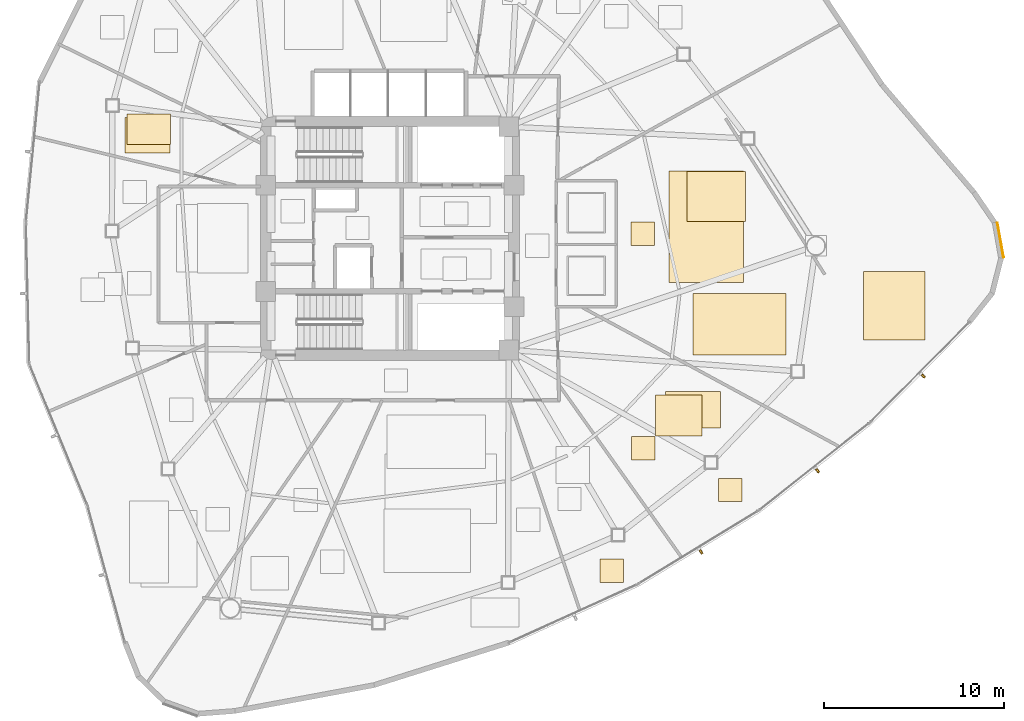
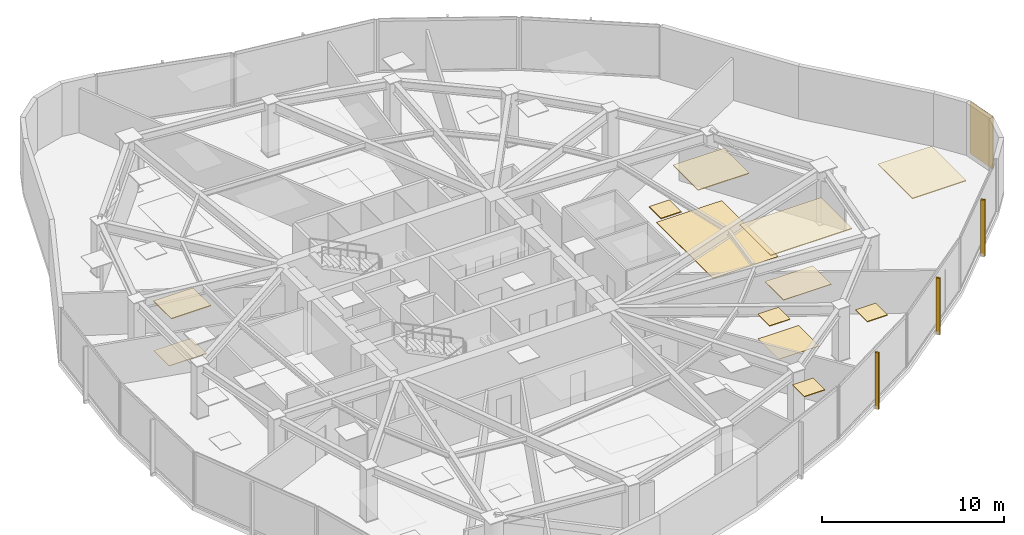
# One storey, part 16 of 17: 13 coverings, 3 shading devices.
"""IFC4 building model written with IfcOpenShell, lengths in metres."""

from ifc_helpers import new_model, si_unit, direction, frame, origin, origin_2d, place, context, subcontext, project, spatial, polyline, rectangle, outline, extrude, source, transform, mapped, material, layer, layer_set, type_object, type_shapes, element, save


model = new_model("IFC4")

# Units and contexts
model_context = context("Model", 3, precision=1e-05, world=origin(), true_north=direction((0.0, 1.0)))
body_context = subcontext(model_context, "Body", "Model", "MODEL_VIEW")
ifc_project = project(units=[si_unit("LENGTHUNIT", "METRE"), si_unit("AREAUNIT", "SQUARE_METRE"), si_unit("VOLUMEUNIT", "CUBIC_METRE"), si_unit("PLANEANGLEUNIT", "RADIAN"), si_unit("MASSUNIT", "GRAM", prefix="KILO")], contexts=[model_context])

# Site, building, storey
site_placement = place(None, origin())
site = spatial("IfcSite", under=ifc_project, at=site_placement, CompositionType="ELEMENT")
building_placement = place(site_placement, origin())
building = spatial("IfcBuilding", under=site, at=building_placement, Name="Tavelor Broadcast Tower", CompositionType="ELEMENT")
storey_placement = place(building_placement, frame((0.0, 0.0, 150.25)))
storey = spatial("IfcBuildingStorey", under=building, at=storey_placement, Name="L35", CompositionType="ELEMENT", Elevation=150.25)

# Coverings
ifc_material_1 = material(Name="Copper-Bronze Anodized Aluminium", Category="aluminium")
ifc_layer_1 = layer(ifc_material_1, 0.050048828125)
ifc_layer_set_1 = layer_set([ifc_layer_1], Name="Copper-Bronze Anodized Aluminium")
covering_type_1 = type_object("IfcCoveringType", Name="Champagne-Bronze Corner Pier Metal Cladding 50 mm", PredefinedType="CLADDING", material=ifc_layer_set_1)
covering_1_placement = place(storey_placement, frame((83.93017578125, 44.901123046875, 0.02001953125), z_axis=(0.0, 0.0, 1.0), x_axis=(-0.174507518327, 0.984655841422, 0.0)))
element("IfcCovering", 1, at=covering_1_placement, inside=storey, type_object=covering_type_1, Name="L35 Champagne-Bronze Corner Cladding 23", PredefinedType="CLADDING", context=body_context, shape_type="SweptSolid", body=[
    extrude(rectangle(XDim=1.9716796875, YDim=0.050048828125, at=origin_2d()), origin(), (0.0, 0.0, 1.0), 3.510009765625),
])
ifc_material_2 = material(Name="Acoustic Nylon Carpet Tile")
ifc_layer_2 = layer(ifc_material_2, 0.02001953125)
ifc_layer_set_2 = layer_set([ifc_layer_2], Name="Acoustic Nylon Carpet Tile")
covering_type_2 = type_object("IfcCoveringType", Name="Heavy-Duty Acoustic Broadcast Carpet Tile 20 mm", PredefinedType="FLOORING", material=ifc_layer_set_2)
covering_2_placement = place(storey_placement, origin())
element("IfcCovering", 2, at=covering_2_placement, inside=storey, type_object=covering_type_2, Name="L35 Broadcast Floor Finish 0504", PredefinedType="FLOORING", context=body_context, shape_type="SweptSolid", body=[
    extrude(outline(polyline([(64.76318359375, 34.015380859375), (67.333251953125, 34.015380859375), (67.333251953125, 36.29296875), (64.76318359375, 36.29296875), (64.76318359375, 34.015380859375)])), origin(), (0.0, 0.0, 1.0), 0.02001953125),
])
ifc_material_3 = material(Name="Acoustic Hardwood Studio Flooring", Category="wood")
ifc_layer_3 = layer(ifc_material_3, 0.034912109375)
ifc_layer_set_3 = layer_set([ifc_layer_3], Name="Acoustic Hardwood Studio Flooring")
covering_type_3 = type_object("IfcCoveringType", Name="Isolated Studio Acoustic Elastomeric Floor Finish 35 mm", PredefinedType="FLOORING", material=ifc_layer_set_3)
covering_3_placement = place(storey_placement, origin())
element("IfcCovering", 3, at=covering_3_placement, inside=storey, type_object=covering_type_3, Name="L35 Broadcast Floor Finish 0503", PredefinedType="FLOORING", context=body_context, shape_type="SweptSolid", body=[
    extrude(outline(polyline([(65.50390625, 42.552978515625), (69.654296875, 42.552978515625), (69.654296875, 48.7509765625), (65.50390625, 48.7509765625), (65.50390625, 42.552978515625)])), origin(), (0.0, 0.0, 1.0), 0.034912109375),
])
covering_4_placement = place(storey_placement, origin())
element("IfcCovering", 4, at=covering_4_placement, inside=storey, type_object=covering_type_3, Name="L35 Broadcast Floor Finish 0510", PredefinedType="FLOORING", context=body_context, shape_type="SweptSolid", body=[
    extrude(outline(polyline([(35.397705078125, 50.222900390625), (37.79296875, 50.222900390625), (37.79296875, 51.9208984375), (35.397705078125, 51.9208984375), (35.397705078125, 50.222900390625)])), origin(), (0.0, 0.0, 1.0), 0.034912109375),
])
ifc_material_4 = material(Name="Acoustic Perforated Timber Baffle", Category="wood")
ifc_layer_4 = layer(ifc_material_4, 0.054931640625)
ifc_layer_set_4 = layer_set([ifc_layer_4], Name="Acoustic Perforated Timber Baffle")
covering_type_4 = type_object("IfcCoveringType", Name="Micro-Perforated Acoustic Baffle Studio Ceiling 55 mm", PredefinedType="CEILING", material=ifc_layer_set_4)
covering_5_placement = place(storey_placement, frame((0.0, 0.0, 3.4951171875)))
element("IfcCovering", 5, at=covering_5_placement, inside=storey, type_object=covering_type_4, Name="L35 Suspended Acoustic Ceiling 1431", PredefinedType="CEILING", context=body_context, shape_type="SweptSolid", body=[
    extrude(outline(polyline([(63.393310546875, 44.604736328125), (64.693115234375, 44.604736328125), (64.693115234375, 45.90478515625), (63.393310546875, 45.90478515625), (63.393310546875, 44.604736328125)])), origin(), (0.0, 0.0, 1.0), 0.054931640625),
])
covering_6_placement = place(storey_placement, frame((0.0, 0.0, 3.4951171875)))
element("IfcCovering", 6, at=covering_6_placement, inside=storey, type_object=covering_type_4, Name="L35 Suspended Acoustic Ceiling 1432", PredefinedType="CEILING", context=body_context, shape_type="SweptSolid", body=[
    extrude(outline(polyline([(66.521484375, 45.94140625), (69.76220703125, 45.94140625), (69.76220703125, 48.703369140625), (66.521484375, 48.703369140625), (66.521484375, 45.94140625)])), origin(), (0.0, 0.0, 1.0), 0.054931640625),
])
covering_7_placement = place(storey_placement, frame((0.0, 0.0, 3.4951171875)))
element("IfcCovering", 7, at=covering_7_placement, inside=storey, type_object=covering_type_4, Name="L35 Suspended Acoustic Ceiling 1433", PredefinedType="CEILING", context=body_context, shape_type="SweptSolid", body=[
    extrude(outline(polyline([(66.849853515625, 38.5224609375), (72.018310546875, 38.5224609375), (72.018310546875, 41.934326171875), (66.849853515625, 41.934326171875), (66.849853515625, 38.5224609375)])), origin(), (0.0, 0.0, 1.0), 0.054931640625),
])
covering_8_placement = place(storey_placement, frame((0.0, 0.0, 3.4951171875)))
element("IfcCovering", 8, at=covering_8_placement, inside=storey, type_object=covering_type_4, Name="L35 Suspended Acoustic Ceiling 1434", PredefinedType="CEILING", context=body_context, shape_type="SweptSolid", body=[
    extrude(outline(polyline([(76.330810546875, 39.356689453125), (79.743408203125, 39.356689453125), (79.743408203125, 43.153076171875), (76.330810546875, 43.153076171875), (76.330810546875, 39.356689453125)])), origin(), (0.0, 0.0, 1.0), 0.054931640625),
])
covering_9_placement = place(storey_placement, frame((0.0, 0.0, 3.4951171875)))
element("IfcCovering", 9, at=covering_9_placement, inside=storey, type_object=covering_type_4, Name="L35 Suspended Acoustic Ceiling 1452", PredefinedType="CEILING", context=body_context, shape_type="SweptSolid", body=[
    extrude(outline(polyline([(35.26513671875, 49.75146484375), (37.77978515625, 49.75146484375), (37.77978515625, 51.71240234375), (35.26513671875, 51.71240234375), (35.26513671875, 49.75146484375)])), origin(), (0.0, 0.0, 1.0), 0.054931640625),
])
ifc_material_5 = material(Name="Acoustic Mineral Fibre Tile")
ifc_layer_5 = layer(ifc_material_5, 0.0400390625)
ifc_layer_set_5 = layer_set([ifc_layer_5], Name="Acoustic Mineral Fibre Tile")
covering_type_5 = type_object("IfcCoveringType", Name="Suspended Acoustic Mineral-Fibre Office Ceiling 40 mm", PredefinedType="CEILING", material=ifc_layer_set_5)
covering_10_placement = place(storey_placement, frame((0.0, 0.0, 3.510009765625)))
element("IfcCovering", 10, at=covering_10_placement, inside=storey, type_object=covering_type_5, Name="L35 Suspended Acoustic Ceiling 1435", PredefinedType="CEILING", context=body_context, shape_type="SweptSolid", body=[
    extrude(outline(polyline([(65.315185546875, 34.4521484375), (68.358642578125, 34.4521484375), (68.358642578125, 36.49658203125), (65.315185546875, 36.49658203125), (65.315185546875, 34.4521484375)])), origin(), (0.0, 0.0, 1.0), 0.0400390625),
])
covering_11_placement = place(storey_placement, frame((0.0, 0.0, 3.510009765625)))
element("IfcCovering", 11, at=covering_11_placement, inside=storey, type_object=covering_type_5, Name="L35 Suspended Acoustic Ceiling 1436", PredefinedType="CEILING", context=body_context, shape_type="SweptSolid", body=[
    extrude(outline(polyline([(68.26806640625, 30.360595703125), (69.568115234375, 30.360595703125), (69.568115234375, 31.66064453125), (68.26806640625, 31.66064453125), (68.26806640625, 30.360595703125)])), origin(), (0.0, 0.0, 1.0), 0.0400390625),
])
covering_12_placement = place(storey_placement, frame((0.0, 0.0, 3.510009765625)))
element("IfcCovering", 12, at=covering_12_placement, inside=storey, type_object=covering_type_5, Name="L35 Suspended Acoustic Ceiling 1437", PredefinedType="CEILING", context=body_context, shape_type="SweptSolid", body=[
    extrude(outline(polyline([(63.419189453125, 32.691650390625), (64.71923828125, 32.691650390625), (64.71923828125, 33.99169921875), (63.419189453125, 33.99169921875), (63.419189453125, 32.691650390625)])), origin(), (0.0, 0.0, 1.0), 0.0400390625),
])
covering_13_placement = place(storey_placement, frame((0.0, 0.0, 3.510009765625)))
element("IfcCovering", 13, at=covering_13_placement, inside=storey, type_object=covering_type_5, Name="L35 Suspended Acoustic Ceiling 1438", PredefinedType="CEILING", context=body_context, shape_type="SweptSolid", body=[
    extrude(outline(polyline([(61.67919921875, 25.864501953125), (62.97900390625, 25.864501953125), (62.97900390625, 27.16455078125), (61.67919921875, 27.16455078125), (61.67919921875, 25.864501953125)])), origin(), (0.0, 0.0, 1.0), 0.0400390625),
])

# Shading devices
ifc_material_6 = material(Name="Kiln-Fired Glazed Terracotta", Category="masonry")
shading_device_type = type_object("IfcShadingDeviceType", Name="Extruded Terracotta Baguette Sun-Screen 110x240", PredefinedType="JALOUSIE", material=ifc_material_6)
shared_shape = source(origin(), body_context, "Body", "SweptSolid", [
    extrude(rectangle(XDim=0.110107421875, YDim=0.239990234375, at=origin_2d()), origin(), (0.0, 0.0, 1.0), 3.7900390625),
])
type_shapes(shading_device_type, [shared_shape])
for number, where, z_axis, x_axis, name in (
    (14, (67.2919921875, 27.571044921875, -0.260009765625), (0.0, 0.0, 1.0), (0.853732611941, 0.52071165467, 0.0), "L35 Terracotta Baguette Fin 354"),
    (15, (73.76708984375, 32.080078125, -0.260009765625), (0.0, 0.0, 1.0), (0.78445174743, 0.620189854765, 0.0), "L35 Terracotta Baguette Fin 355"),
    (16, (79.649169921875, 37.339111328125, -0.260009765625), (0.0, 0.0, 1.0), (0.703642775775, 0.710553899503, 0.0), "L35 Terracotta Baguette Fin 356"),
):
    element("IfcShadingDevice", number, at=place(storey_placement, frame(where, z_axis=z_axis, x_axis=x_axis)), inside=storey, type_object=shading_device_type, Name=name, PredefinedType="JALOUSIE", context=body_context, shape_type="MappedRepresentation", body=[
        mapped(shared_shape, transform((0.0, 0.0, 0.0), scale=1.0)),
    ])

save(model, "model.ifc")
